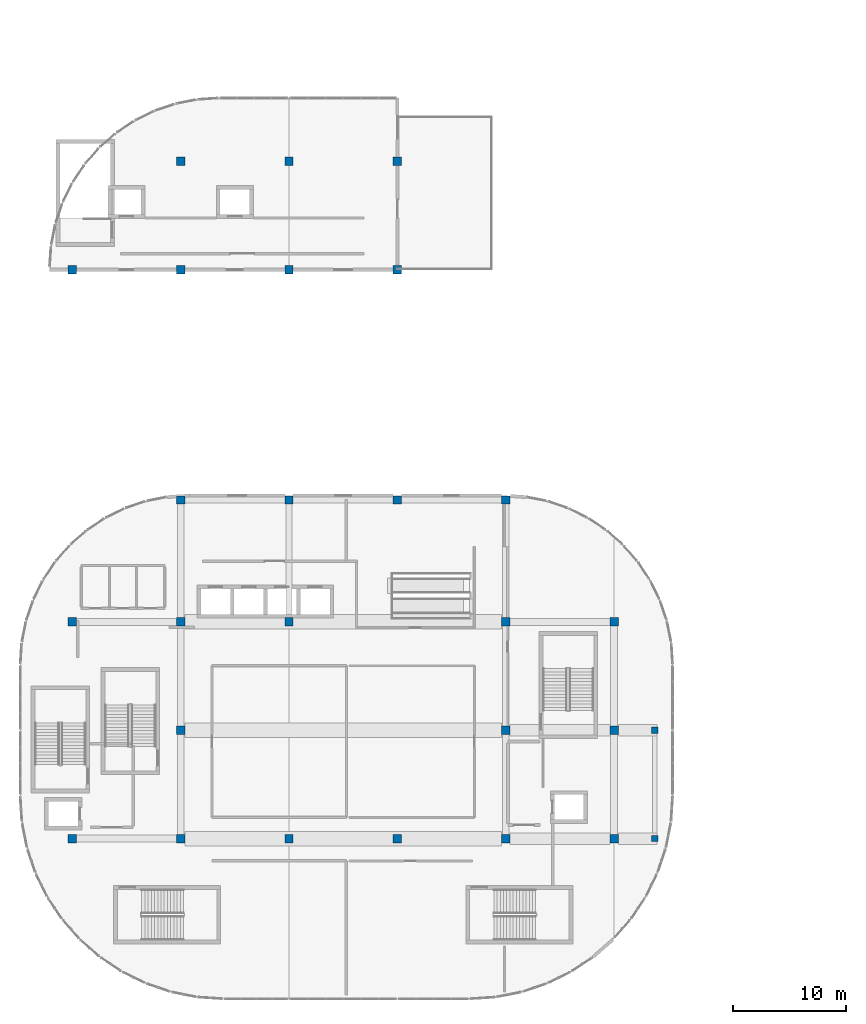
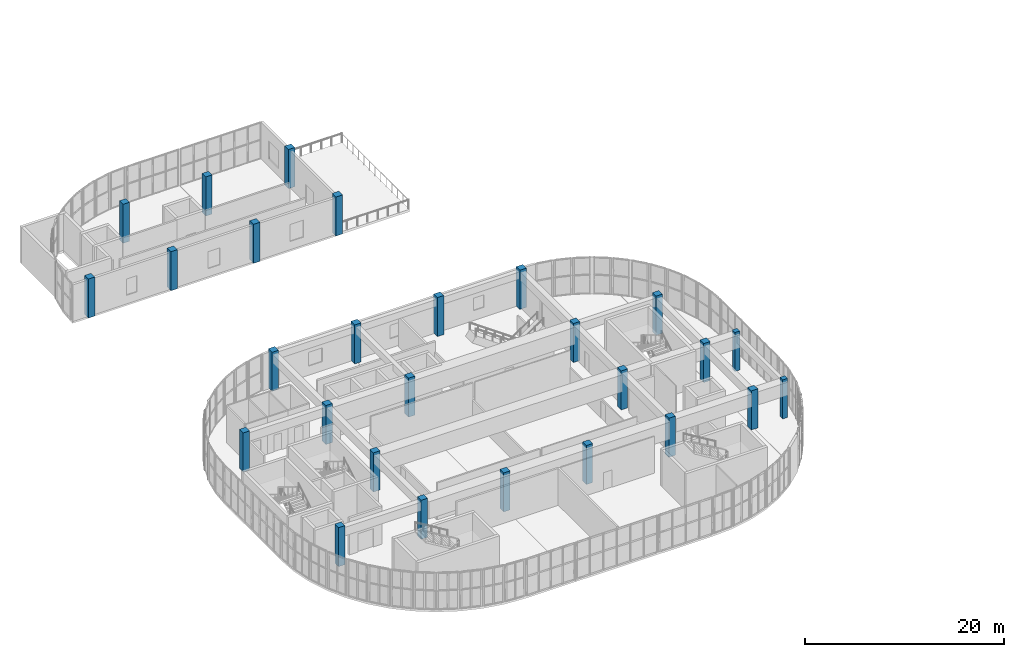
# One storey, part 1 of 28: 27 columns.
"""IFC4 building model written with IfcOpenShell, lengths in metres."""

from ifc_helpers import new_model, si_unit, direction, frame, origin, origin_2d, place, context, subcontext, project, spatial, rectangle, extrude, material, material_profile, profile_set, type_object, element, save


model = new_model("IFC4")

# Units and contexts
model_context = context("Model", 3, precision=1e-05, world=origin(), true_north=direction((0.0, 1.0)))
body_context = subcontext(model_context, "Body", "Model", "MODEL_VIEW")
ifc_project = project(units=[si_unit("LENGTHUNIT", "METRE"), si_unit("AREAUNIT", "SQUARE_METRE"), si_unit("VOLUMEUNIT", "CUBIC_METRE"), si_unit("PLANEANGLEUNIT", "RADIAN"), si_unit("MASSUNIT", "GRAM", prefix="KILO")], contexts=[model_context])

# Site, building, storey
site_placement = place(None, origin())
site = spatial("IfcSite", under=ifc_project, at=site_placement, CompositionType="ELEMENT")
building_placement = place(site_placement, origin())
building = spatial("IfcBuilding", under=site, at=building_placement, Name="Cendralis Terraced Arcade", CompositionType="ELEMENT")
storey_placement = place(building_placement, frame((0.0, 0.0, 24.60009765625)))
storey = spatial("IfcBuildingStorey", under=building, at=storey_placement, Name="L05", CompositionType="ELEMENT", Elevation=24.60009765625)

# Columns
ifc_material = material(Name="Concrete f'c 42 MPa", Category="concrete")
ifc_material_profile_1 = material_profile(ifc_material, rectangle(XDim=0.550048828125, YDim=0.550048828125, at=origin_2d()), Name="RC-COL-550x550", Category="LoadBearing")
ifc_profile_set_1 = profile_set([ifc_material_profile_1], Name="Concrete f'c 42 MPa")
column_type_1 = type_object("IfcColumnType", Name="COL-550", PredefinedType="COLUMN", material=ifc_profile_set_1)
for number, where, z_axis, x_axis, name in (
    (1, (61.199951171875, 19.199951171875, 0.0), (0.0, 0.0, 1.0), (1.0, 0.0, 0.0), "Crown Overhang Perimeter Column L05-C"),
    (2, (61.199951171875, 28.800048828125, 0.0), (0.0, 0.0, 1.0), (1.0, 0.0, 0.0), "Crown Overhang Perimeter Column L05-D"),
):
    element("IfcColumn", number, at=place(storey_placement, frame(where, z_axis=z_axis, x_axis=x_axis)), inside=storey, type_object=column_type_1, Name=name, PredefinedType="COLUMN", context=body_context, shape_type="SweptSolid", body=[
        extrude(rectangle(XDim=0.550048828125, YDim=0.550048828125, at=origin_2d()), origin(), (0.0, 0.0, 1.0), 4.7998046875),
    ])
ifc_material_profile_2 = material_profile(ifc_material, rectangle(XDim=0.75, YDim=0.75, at=origin_2d()), Name="RC-COL-750x750", Category="LoadBearing")
ifc_profile_set_2 = profile_set([ifc_material_profile_2], Name="Concrete f'c 42 MPa")
column_type_2 = type_object("IfcColumnType", Name="COL-750", PredefinedType="COLUMN", material=ifc_profile_set_2)
for number, where, z_axis, x_axis, name in (
    (3, (9.60009765625, 19.199951171875, 0.0), (0.0, 0.0, 1.0), (1.0, 0.0, 0.0), "Reinforced Concrete Column 2-C (L05)"),
    (4, (9.60009765625, 38.39990234375, 0.0), (0.0, 0.0, 1.0), (1.0, 0.0, 0.0), "Reinforced Concrete Column 2-E (L05)"),
    (5, (9.60009765625, 69.60009765625, 0.0), (0.0, 0.0, 1.0), (1.0, 0.0, 0.0), "Reinforced Concrete Column 2-H (L05)"),
    (6, (19.199951171875, 19.199951171875, 0.0), (0.0, 0.0, 1.0), (1.0, 0.0, 0.0), "Reinforced Concrete Column 3-C (L05)"),
    (7, (19.199951171875, 28.800048828125, 0.0), (0.0, 0.0, 1.0), (1.0, 0.0, 0.0), "Reinforced Concrete Column 3-D (L05)"),
    (8, (19.199951171875, 38.39990234375, 0.0), (0.0, 0.0, 1.0), (1.0, 0.0, 0.0), "Reinforced Concrete Column 3-E (L05)"),
    (9, (19.199951171875, 49.199951171875, 0.0), (0.0, 0.0, 1.0), (1.0, 0.0, 0.0), "Reinforced Concrete Column 3-F (L05)"),
    (10, (19.199951171875, 69.60009765625, 0.0), (0.0, 0.0, 1.0), (1.0, 0.0, 0.0), "Reinforced Concrete Column 3-H (L05)"),
    (11, (19.199951171875, 79.199951171875, 0.0), (0.0, 0.0, 1.0), (1.0, 0.0, 0.0), "Reinforced Concrete Column 3-J (L05)"),
    (12, (28.800048828125, 19.199951171875, 0.0), (0.0, 0.0, 1.0), (1.0, 0.0, 0.0), "Reinforced Concrete Column 4-C (L05)"),
    (13, (28.800048828125, 38.39990234375, 0.0), (0.0, 0.0, 1.0), (1.0, 0.0, 0.0), "Reinforced Concrete Column 4-E (L05)"),
    (14, (28.800048828125, 49.199951171875, 0.0), (0.0, 0.0, 1.0), (1.0, 0.0, 0.0), "Reinforced Concrete Column 4-F (L05)"),
    (15, (28.800048828125, 69.60009765625, 0.0), (0.0, 0.0, 1.0), (1.0, 0.0, 0.0), "Reinforced Concrete Column 4-H (L05)"),
    (16, (28.800048828125, 79.199951171875, 0.0), (0.0, 0.0, 1.0), (1.0, 0.0, 0.0), "Reinforced Concrete Column 4-J (L05)"),
    (17, (38.39990234375, 19.199951171875, 0.0), (0.0, 0.0, 1.0), (1.0, 0.0, 0.0), "Reinforced Concrete Column 5-C (L05)"),
    (18, (38.39990234375, 49.199951171875, 0.0), (0.0, 0.0, 1.0), (1.0, 0.0, 0.0), "Reinforced Concrete Column 5-F (L05)"),
    (19, (38.39990234375, 69.60009765625, 0.0), (0.0, 0.0, 1.0), (1.0, 0.0, 0.0), "Reinforced Concrete Column 5-H (L05)"),
    (20, (38.39990234375, 79.199951171875, 0.0), (0.0, 0.0, 1.0), (1.0, 0.0, 0.0), "Reinforced Concrete Column 5-J (L05)"),
    (21, (48.0, 19.199951171875, 0.0), (0.0, 0.0, 1.0), (1.0, 0.0, 0.0), "Reinforced Concrete Column 6-C (L05)"),
    (22, (48.0, 28.800048828125, 0.0), (0.0, 0.0, 1.0), (1.0, 0.0, 0.0), "Reinforced Concrete Column 6-D (L05)"),
    (23, (48.0, 38.39990234375, 0.0), (0.0, 0.0, 1.0), (1.0, 0.0, 0.0), "Reinforced Concrete Column 6-E (L05)"),
    (24, (48.0, 49.199951171875, 0.0), (0.0, 0.0, 1.0), (1.0, 0.0, 0.0), "Reinforced Concrete Column 6-F (L05)"),
    (25, (57.60009765625, 19.199951171875, 0.0), (0.0, 0.0, 1.0), (1.0, 0.0, 0.0), "Reinforced Concrete Column 7-C (L05)"),
    (26, (57.60009765625, 28.800048828125, 0.0), (0.0, 0.0, 1.0), (1.0, 0.0, 0.0), "Reinforced Concrete Column 7-D (L05)"),
    (27, (57.60009765625, 38.39990234375, 0.0), (0.0, 0.0, 1.0), (1.0, 0.0, 0.0), "Reinforced Concrete Column 7-E (L05)"),
):
    element("IfcColumn", number, at=place(storey_placement, frame(where, z_axis=z_axis, x_axis=x_axis)), inside=storey, type_object=column_type_2, Name=name, PredefinedType="COLUMN", context=body_context, shape_type="SweptSolid", body=[
        extrude(rectangle(XDim=0.75, YDim=0.75, at=origin_2d()), origin(), (0.0, 0.0, 1.0), 4.7998046875),
    ])

save(model, "model.ifc")
